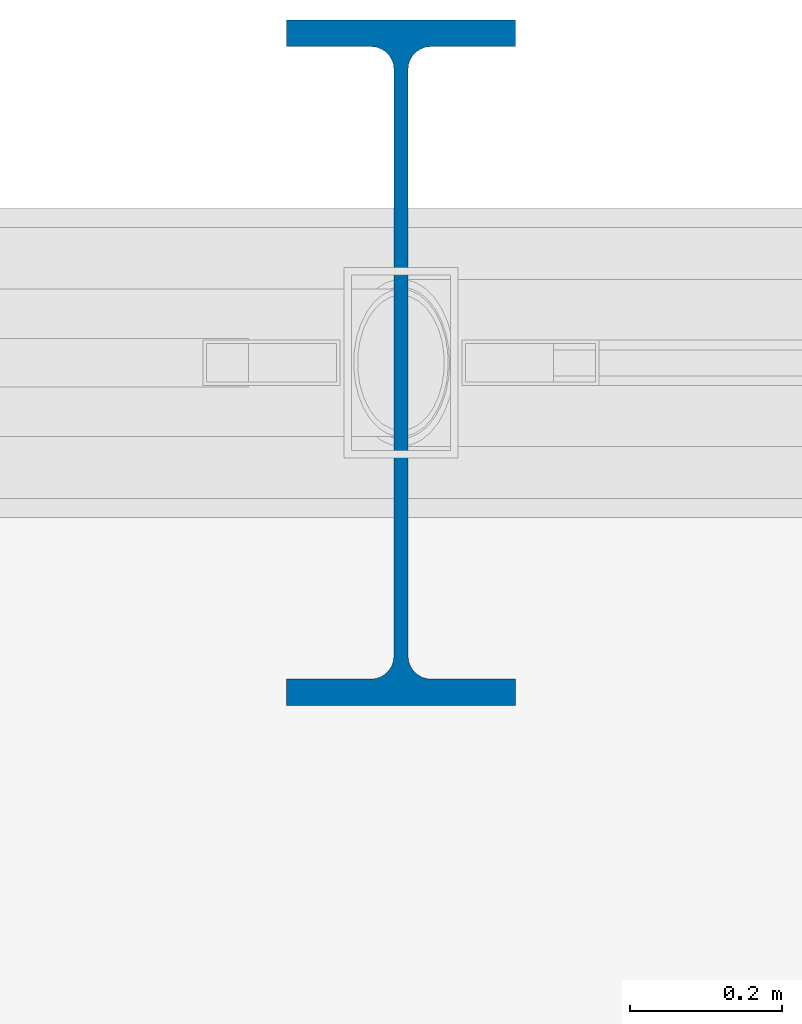
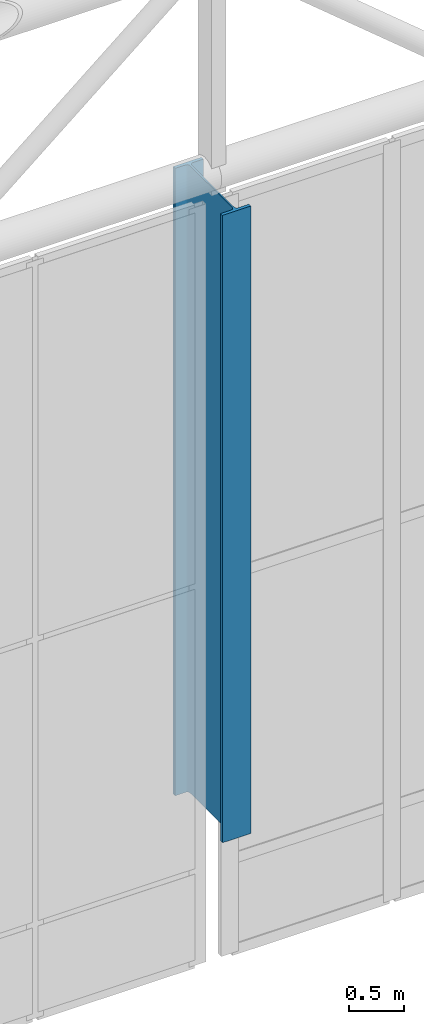
# One storey, part 12 of 239: 1 column.
"""IFC4 building model written with IfcOpenShell, lengths in metres."""

from ifc_helpers import new_model, si_unit, direction, frame, origin, origin_2d, place, context, subcontext, project, spatial, i_section, extrude, material, material_profile, profile_set, type_object, element, save


model = new_model("IFC4")

# Units and contexts
model_context = context("Model", 3, precision=1e-05, world=origin(), true_north=direction((0.0, 1.0)))
body_context = subcontext(model_context, "Body", "Model", "MODEL_VIEW")
ifc_project = project(units=[si_unit("LENGTHUNIT", "METRE"), si_unit("AREAUNIT", "SQUARE_METRE"), si_unit("VOLUMEUNIT", "CUBIC_METRE"), si_unit("PLANEANGLEUNIT", "RADIAN"), si_unit("MASSUNIT", "GRAM", prefix="KILO")], contexts=[model_context])

# Site, building, storey
site_placement = place(None, origin())
site = spatial("IfcSite", under=ifc_project, at=site_placement, CompositionType="ELEMENT")
building_placement = place(site_placement, origin())
building = spatial("IfcBuilding", under=site, at=building_placement, Name="Kaldris Quays Convention Centre", CompositionType="ELEMENT")
storey_placement = place(building_placement, frame((0.0, 0.0, 11.39990234375)))
storey = spatial("IfcBuildingStorey", under=building, at=storey_placement, Name="L02", CompositionType="ELEMENT", Elevation=11.39990234375)

# Column
ifc_material = material(Name="Steel S355J2", Category="steel")
ifc_material_profile = material_profile(ifc_material, i_section(OverallWidth=0.300048828125, OverallDepth=0.89990234375, WebThickness=0.0185546875, FlangeThickness=0.034912109375, FilletRadius=0.030029296875, at=origin_2d()), Name="HEB 900")
ifc_profile_set = profile_set([ifc_material_profile], Name="Steel S355J2")
column_type = type_object("IfcColumnType", Name="STRUCTURAL COLUMN CL03", PredefinedType="COLUMN", material=ifc_profile_set)
column_placement = place(storey_placement, frame((83.0, 140.0, 0.0), z_axis=(0.0, 0.0, 1.0), x_axis=(1.0, 0.0, 0.0)))
element("IfcColumn", 1, at=column_placement, inside=storey, type_object=column_type, Name="L02 V1 Column CL03 (83.00, 140.00)", PredefinedType="COLUMN", context=body_context, shape_type="SweptSolid", body=[
    extrude(i_section(OverallWidth=0.300048828125, OverallDepth=0.89990234375, WebThickness=0.0185546875, FlangeThickness=0.034912109375, FilletRadius=0.030029296875, at=origin_2d()), origin(), (0.0, 0.0, 1.0), 7.0),
])

save(model, "model.ifc")
